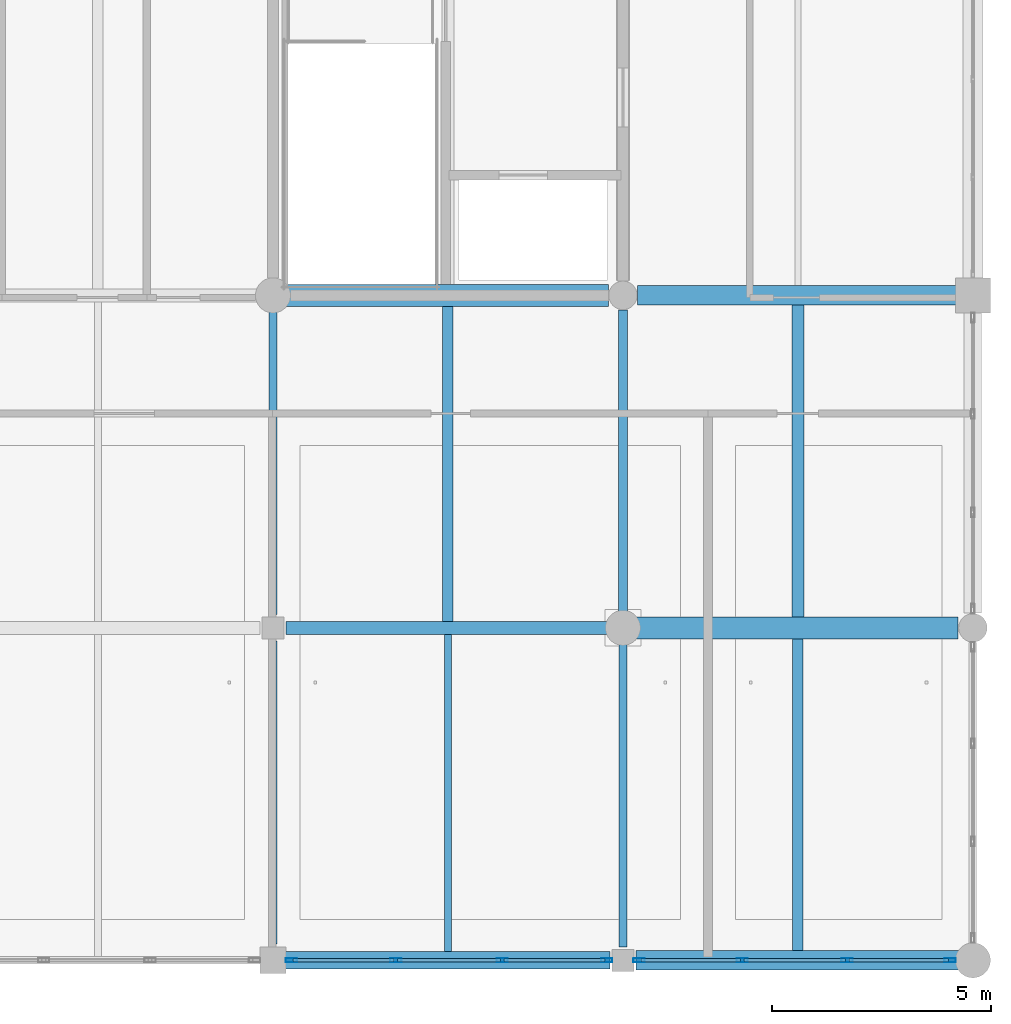
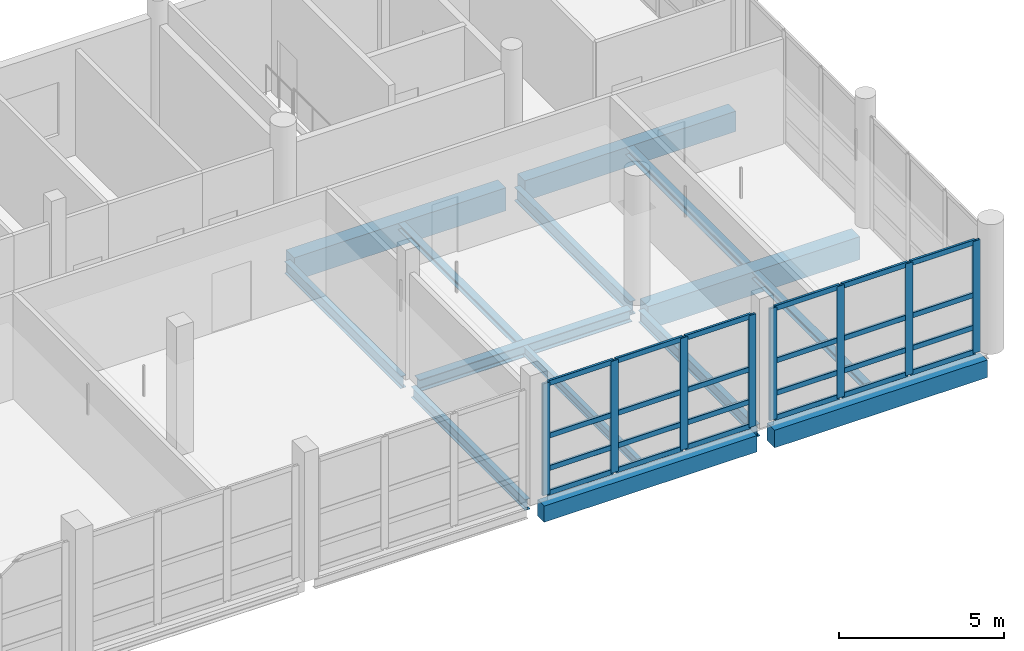
# One storey, part 5 of 18: 32 members, 14 beams, 2 elements without a shape of their own.
"""IFC4 building model written with IfcOpenShell, lengths in metres."""

from ifc_helpers import new_model, si_unit, direction, frame, origin, origin_2d, place, context, subcontext, project, spatial, rectangle, hollow_rectangle, i_section, extrude, material, material_profile, profile_set, type_object, element, aggregate, save


model = new_model("IFC4")

# Units and contexts
model_context = context("Model", 3, precision=1e-05, world=origin(), true_north=direction((0.0, 1.0)))
body_context = subcontext(model_context, "Body", "Model", "MODEL_VIEW")
ifc_project = project(units=[si_unit("LENGTHUNIT", "METRE"), si_unit("AREAUNIT", "SQUARE_METRE"), si_unit("VOLUMEUNIT", "CUBIC_METRE"), si_unit("PLANEANGLEUNIT", "RADIAN"), si_unit("MASSUNIT", "GRAM", prefix="KILO")], contexts=[model_context])

# Site, building, storey
site_placement = place(None, origin())
site = spatial("IfcSite", under=ifc_project, at=site_placement, CompositionType="ELEMENT")
building_placement = place(site_placement, origin())
building = spatial("IfcBuilding", under=site, at=building_placement, Name="Khelvaren Railside Concert Hall", CompositionType="ELEMENT")
storey_placement = place(building_placement, frame((0.0, 0.0, 24.60009765625)))
storey = spatial("IfcBuildingStorey", under=building, at=storey_placement, Name="L05", CompositionType="ELEMENT", Elevation=24.60009765625)

# Beams
ifc_material_1 = material(Name="Steel S355", Category="steel")
ifc_material_profile_1 = material_profile(ifc_material_1, i_section(OverallWidth=0.179931640625, OverallDepth=0.39990234375, WebThickness=0.008544921875, FlangeThickness=0.013427734375, FilletRadius=0.02099609375, at=origin_2d()), Name="IPE 400")
ifc_profile_set_1 = profile_set([ifc_material_profile_1], Name="Steel S355")
beam_type_1 = type_object("IfcBeamType", Name="BM29", PredefinedType="BEAM", material=ifc_profile_set_1)
beam_1_placement = place(storey_placement, frame((168.0, 91.574951171875, -0.460205078125), z_axis=(0.0, 1.0, 0.0), x_axis=(-1.0, 0.0, 0.0)))
element("IfcBeam", 1, at=beam_1_placement, inside=storey, type_object=beam_type_1, Name="V5 L05 Beam Y6.2", PredefinedType="BEAM", context=body_context, shape_type="SweptSolid", body=[
    extrude(i_section(OverallWidth=0.179931640625, OverallDepth=0.39990234375, WebThickness=0.008544921875, FlangeThickness=0.013427734375, FilletRadius=0.02099609375, at=origin_2d()), origin(), (0.0, 0.0, 1.0), 6.925048828125),
])
ifc_material_profile_2 = material_profile(ifc_material_1, i_section(OverallWidth=0.199951171875, OverallDepth=0.5, WebThickness=0.01025390625, FlangeThickness=0.01611328125, FilletRadius=0.02099609375, at=origin_2d()), Name="IPE 500")
ifc_profile_set_2 = profile_set([ifc_material_profile_2], Name="Steel S355")
beam_type_2 = type_object("IfcBeamType", Name="BM62", PredefinedType="BEAM", material=ifc_profile_set_2)
beam_2_placement = place(storey_placement, frame((176.0, 99.050048828125, -0.510009765625), z_axis=(0.0, 1.0, 0.0), x_axis=(-1.0, 0.0, 0.0)))
element("IfcBeam", 2, at=beam_2_placement, inside=storey, type_object=beam_type_2, Name="V5 L05 Beam Y7.3", PredefinedType="BEAM", context=body_context, shape_type="SweptSolid", body=[
    extrude(i_section(OverallWidth=0.199951171875, OverallDepth=0.5, WebThickness=0.01025390625, FlangeThickness=0.01611328125, FilletRadius=0.02099609375, at=origin_2d()), origin(), (0.0, 0.0, 1.0), 7.013916015625),
])
ifc_material_2 = material(Name="Concrete C40/50", Category="concrete")
ifc_material_profile_3 = material_profile(ifc_material_2, rectangle(XDim=0.449951171875, YDim=0.75, at=origin_2d()), Name="RCB 450x750")
ifc_profile_set_3 = profile_set([ifc_material_profile_3], Name="Concrete C40/50")
beam_type_3 = type_object("IfcBeamType", Name="BM83", PredefinedType="BEAM", material=ifc_profile_set_3)
beam_3_placement = place(storey_placement, frame((176.3359375, 106.39990234375, -0.635009765625), z_axis=(1.0, 0.0, 0.0), x_axis=(0.0, 1.0, 0.0)))
element("IfcBeam", 3, at=beam_3_placement, inside=storey, type_object=beam_type_3, Name="V5 L05 Beam X4.7", PredefinedType="BEAM", context=body_context, shape_type="SweptSolid", body=[
    extrude(rectangle(XDim=0.449951171875, YDim=0.75, at=origin_2d()), origin(), (0.0, 0.0, 1.0), 7.39111328125),
])
ifc_material_profile_4 = material_profile(ifc_material_1, i_section(OverallWidth=0.300048828125, OverallDepth=0.43994140625, WebThickness=0.011474609375, FlangeThickness=0.02099609375, FilletRadius=0.027099609375, at=origin_2d()), Name="HEA 450")
ifc_profile_set_4 = profile_set([ifc_material_profile_4], Name="Steel S355")
beam_type_4 = type_object("IfcBeamType", Name="BM89", PredefinedType="BEAM", material=ifc_profile_set_4)
beam_4_placement = place(storey_placement, frame((168.300048828125, 98.800048828125, -0.47998046875), z_axis=(1.0, 0.0, 0.0), x_axis=(0.0, 1.0, 0.0)))
element("IfcBeam", 4, at=beam_4_placement, inside=storey, type_object=beam_type_4, Name="V5 L05 Beam X3.6", PredefinedType="BEAM", context=body_context, shape_type="SweptSolid", body=[
    extrude(i_section(OverallWidth=0.300048828125, OverallDepth=0.43994140625, WebThickness=0.011474609375, FlangeThickness=0.02099609375, FilletRadius=0.027099609375, at=origin_2d()), origin(), (0.0, 0.0, 1.0), 7.449951171875),
])
ifc_material_profile_5 = material_profile(ifc_material_1, i_section(OverallWidth=0.18994140625, OverallDepth=0.449951171875, WebThickness=0.009521484375, FlangeThickness=0.0146484375, FilletRadius=0.02099609375, at=origin_2d()), Name="IPE 450")
ifc_profile_set_5 = profile_set([ifc_material_profile_5], Name="Steel S355")
beam_type_5 = type_object("IfcBeamType", Name="BM95", PredefinedType="BEAM", material=ifc_profile_set_5)
beam_5_placement = place(storey_placement, frame((168.0, 99.10009765625, -0.485107421875), z_axis=(0.0, 1.0, 0.0), x_axis=(-1.0, 0.0, 0.0)))
element("IfcBeam", 5, at=beam_5_placement, inside=storey, type_object=beam_type_5, Name="V5 L05 Beam Y6.3", PredefinedType="BEAM", context=body_context, shape_type="SweptSolid", body=[
    extrude(i_section(OverallWidth=0.18994140625, OverallDepth=0.449951171875, WebThickness=0.009521484375, FlangeThickness=0.0146484375, FilletRadius=0.02099609375, at=origin_2d()), origin(), (0.0, 0.0, 1.0), 7.0498046875),
])
beam_6_placement = place(storey_placement, frame((176.0, 91.5, -0.485107421875), z_axis=(0.0, 1.0, 0.0), x_axis=(-1.0, 0.0, 0.0)))
element("IfcBeam", 6, at=beam_6_placement, inside=storey, type_object=beam_type_5, Name="V5 L05 Beam Y7.2", PredefinedType="BEAM", context=body_context, shape_type="SweptSolid", body=[
    extrude(i_section(OverallWidth=0.18994140625, OverallDepth=0.449951171875, WebThickness=0.009521484375, FlangeThickness=0.0146484375, FilletRadius=0.02099609375, at=origin_2d()), origin(), (0.0, 0.0, 1.0), 7.050048828125),
])

# Curtain wall, members
ifc_material_3 = material(Name="Acoustic laminated crystal facade glass", Category="glass")
curtain_wall_type_1 = type_object("IfcCurtainWallType", Name="CW15", PredefinedType="USERDEFINED", material=ifc_material_3)
curtain_wall_1_placement = place(storey_placement, origin())
curtain_wall_1 = element("IfcCurtainWall", 7, at=curtain_wall_1_placement, inside=storey, type_object=curtain_wall_type_1, Name="Unitised Curtain Wall CW-V5-L05-S-168", ObjectType="UNITISED CURTAIN WALL", PredefinedType="USERDEFINED")
ifc_material_4 = material(Name="Anodised architectural aluminium 6063-T6", Category="aluminium")
ifc_material_profile_6 = material_profile(ifc_material_4, hollow_rectangle(XDim=0.0849609375, YDim=0.260009765625, WallThickness=0.0048828125, InnerFilletRadius=0.0029296875, OuterFilletRadius=0.0048828125, at=origin_2d()), Name="CWM 85x260x5")
ifc_profile_set_6 = profile_set([ifc_material_profile_6], Name="Anodised architectural aluminium 6063-T6")
member_type_1 = type_object("IfcMemberType", Name="CWM40", PredefinedType="MULLION", material=ifc_profile_set_6)
member_1_placement = place(storey_placement, frame((175.6298828125, 91.199951171875, 0.0), z_axis=(0.0, 0.0, 1.0), x_axis=(0.0, -1.0, 0.0)))
member_1 = element("IfcMember", 8, at=member_1_placement, type_object=member_type_1, Name="CW15 mullion 1", PredefinedType="MULLION", context=body_context, shape_type="SweptSolid", body=[
    extrude(hollow_rectangle(XDim=0.0849609375, YDim=0.260009765625, WallThickness=0.0048828125, InnerFilletRadius=0.0029296875, OuterFilletRadius=0.0048828125, at=origin_2d()), origin(), (0.0, 0.0, 1.0), 4.139892578125),
])
member_2_placement = place(storey_placement, frame((173.24072265625, 91.199951171875, 0.0), z_axis=(0.0, 0.0, 1.0), x_axis=(0.0, -1.0, 0.0)))
member_2 = element("IfcMember", 9, at=member_2_placement, type_object=member_type_1, Name="CW15 mullion 2", PredefinedType="MULLION", context=body_context, shape_type="SweptSolid", body=[
    extrude(hollow_rectangle(XDim=0.0849609375, YDim=0.260009765625, WallThickness=0.0048828125, InnerFilletRadius=0.0029296875, OuterFilletRadius=0.0048828125, at=origin_2d()), origin(), (0.0, 0.0, 1.0), 4.139892578125),
])
member_3_placement = place(storey_placement, frame((170.80908203125, 91.199951171875, 0.0), z_axis=(0.0, 0.0, 1.0), x_axis=(0.0, -1.0, 0.0)))
member_3 = element("IfcMember", 10, at=member_3_placement, type_object=member_type_1, Name="CW15 mullion 3", PredefinedType="MULLION", context=body_context, shape_type="SweptSolid", body=[
    extrude(hollow_rectangle(XDim=0.0849609375, YDim=0.260009765625, WallThickness=0.0048828125, InnerFilletRadius=0.0029296875, OuterFilletRadius=0.0048828125, at=origin_2d()), origin(), (0.0, 0.0, 1.0), 4.139892578125),
])
member_4_placement = place(storey_placement, frame((168.419921875, 91.199951171875, 0.0), z_axis=(0.0, 0.0, 1.0), x_axis=(0.0, -1.0, 0.0)))
member_4 = element("IfcMember", 11, at=member_4_placement, type_object=member_type_1, Name="CW15 mullion 4", PredefinedType="MULLION", context=body_context, shape_type="SweptSolid", body=[
    extrude(hollow_rectangle(XDim=0.0849609375, YDim=0.260009765625, WallThickness=0.0048828125, InnerFilletRadius=0.0029296875, OuterFilletRadius=0.0048828125, at=origin_2d()), origin(), (0.0, 0.0, 1.0), 4.139892578125),
])

curtain_wall_type_2 = type_object("IfcCurtainWallType", Name="CW54", PredefinedType="USERDEFINED", material=ifc_material_3)
curtain_wall_2_placement = place(storey_placement, origin())
curtain_wall_2 = element("IfcCurtainWall", 12, at=curtain_wall_2_placement, inside=storey, type_object=curtain_wall_type_2, Name="Unitised Curtain Wall CW-V5-L05-S-176", ObjectType="UNITISED CURTAIN WALL", PredefinedType="USERDEFINED")
member_5_placement = place(storey_placement, frame((183.47998046875, 91.199951171875, 0.0), z_axis=(0.0, 0.0, 1.0), x_axis=(0.0, -1.0, 0.0)))
member_5 = element("IfcMember", 13, at=member_5_placement, type_object=member_type_1, Name="CW54 mullion 1", PredefinedType="MULLION", context=body_context, shape_type="SweptSolid", body=[
    extrude(hollow_rectangle(XDim=0.0849609375, YDim=0.260009765625, WallThickness=0.0048828125, InnerFilletRadius=0.0029296875, OuterFilletRadius=0.0048828125, at=origin_2d()), origin(), (0.0, 0.0, 1.0), 4.139892578125),
])
member_6_placement = place(storey_placement, frame((181.124267578125, 91.199951171875, 0.0), z_axis=(0.0, 0.0, 1.0), x_axis=(0.0, -1.0, 0.0)))
member_6 = element("IfcMember", 14, at=member_6_placement, type_object=member_type_1, Name="CW54 mullion 2", PredefinedType="MULLION", context=body_context, shape_type="SweptSolid", body=[
    extrude(hollow_rectangle(XDim=0.0849609375, YDim=0.260009765625, WallThickness=0.0048828125, InnerFilletRadius=0.0029296875, OuterFilletRadius=0.0048828125, at=origin_2d()), origin(), (0.0, 0.0, 1.0), 4.139892578125),
])
member_7_placement = place(storey_placement, frame((178.725830078125, 91.199951171875, 0.0), z_axis=(0.0, 0.0, 1.0), x_axis=(0.0, -1.0, 0.0)))
member_7 = element("IfcMember", 15, at=member_7_placement, type_object=member_type_1, Name="CW54 mullion 3", PredefinedType="MULLION", context=body_context, shape_type="SweptSolid", body=[
    extrude(hollow_rectangle(XDim=0.0849609375, YDim=0.260009765625, WallThickness=0.0048828125, InnerFilletRadius=0.0029296875, OuterFilletRadius=0.0048828125, at=origin_2d()), origin(), (0.0, 0.0, 1.0), 4.139892578125),
])
member_8_placement = place(storey_placement, frame((176.3701171875, 91.199951171875, 0.0), z_axis=(0.0, 0.0, 1.0), x_axis=(0.0, -1.0, 0.0)))
member_8 = element("IfcMember", 16, at=member_8_placement, type_object=member_type_1, Name="CW54 mullion 4", PredefinedType="MULLION", context=body_context, shape_type="SweptSolid", body=[
    extrude(hollow_rectangle(XDim=0.0849609375, YDim=0.260009765625, WallThickness=0.0048828125, InnerFilletRadius=0.0029296875, OuterFilletRadius=0.0048828125, at=origin_2d()), origin(), (0.0, 0.0, 1.0), 4.139892578125),
])

# Member
ifc_material_profile_7 = material_profile(ifc_material_4, hollow_rectangle(XDim=0.0849609375, YDim=0.18994140625, WallThickness=0.0048828125, InnerFilletRadius=0.0029296875, OuterFilletRadius=0.0048828125, at=origin_2d()), Name="CWT 85x190x5")
ifc_profile_set_7 = profile_set([ifc_material_profile_7], Name="Anodised architectural aluminium 6063-T6")
member_type_2 = type_object("IfcMemberType", Name="CWT31", PredefinedType="USERDEFINED", material=ifc_profile_set_7)
member_9_placement = place(storey_placement, frame((175.58740234375, 91.199951171875, 0.04248046875), z_axis=(-1.0, 0.0, 0.0), x_axis=(0.0, -1.0, 0.0)))
member_9 = element("IfcMember", 17, at=member_9_placement, type_object=member_type_2, Name="CW15 transom 1.1", ObjectType="TRANSOM", PredefinedType="USERDEFINED", context=body_context, shape_type="SweptSolid", body=[
    extrude(hollow_rectangle(XDim=0.0849609375, YDim=0.18994140625, WallThickness=0.0048828125, InnerFilletRadius=0.0029296875, OuterFilletRadius=0.0048828125, at=origin_2d()), origin(), (0.0, 0.0, 1.0), 2.303955078125),
])

member_10_placement = place(storey_placement, frame((175.58740234375, 91.199951171875, 0.949951171875), z_axis=(-1.0, 0.0, 0.0), x_axis=(0.0, -1.0, 0.0)))
member_10 = element("IfcMember", 18, at=member_10_placement, type_object=member_type_2, Name="CW15 transom 1.2", ObjectType="TRANSOM", PredefinedType="USERDEFINED", context=body_context, shape_type="SweptSolid", body=[
    extrude(hollow_rectangle(XDim=0.0849609375, YDim=0.18994140625, WallThickness=0.0048828125, InnerFilletRadius=0.0029296875, OuterFilletRadius=0.0048828125, at=origin_2d()), origin(), (0.0, 0.0, 1.0), 2.303955078125),
])

member_11_placement = place(storey_placement, frame((175.58740234375, 91.199951171875, 2.152587890625), z_axis=(-1.0, 0.0, 0.0), x_axis=(0.0, -1.0, 0.0)))
member_11 = element("IfcMember", 19, at=member_11_placement, type_object=member_type_2, Name="CW15 transom 1.3", ObjectType="TRANSOM", PredefinedType="USERDEFINED", context=body_context, shape_type="SweptSolid", body=[
    extrude(hollow_rectangle(XDim=0.0849609375, YDim=0.18994140625, WallThickness=0.0048828125, InnerFilletRadius=0.0029296875, OuterFilletRadius=0.0048828125, at=origin_2d()), origin(), (0.0, 0.0, 1.0), 2.303955078125),
])

member_12_placement = place(storey_placement, frame((175.58740234375, 91.199951171875, 4.097412109375), z_axis=(-1.0, 0.0, 0.0), x_axis=(0.0, -1.0, 0.0)))
member_12 = element("IfcMember", 20, at=member_12_placement, type_object=member_type_2, Name="CW15 transom 1.4", ObjectType="TRANSOM", PredefinedType="USERDEFINED", context=body_context, shape_type="SweptSolid", body=[
    extrude(hollow_rectangle(XDim=0.0849609375, YDim=0.18994140625, WallThickness=0.0048828125, InnerFilletRadius=0.0029296875, OuterFilletRadius=0.0048828125, at=origin_2d()), origin(), (0.0, 0.0, 1.0), 2.303955078125),
])

member_13_placement = place(storey_placement, frame((173.1982421875, 91.199951171875, 0.04248046875), z_axis=(-1.0, 0.0, 0.0), x_axis=(0.0, -1.0, 0.0)))
member_13 = element("IfcMember", 21, at=member_13_placement, type_object=member_type_2, Name="CW15 transom 2.1", ObjectType="TRANSOM", PredefinedType="USERDEFINED", context=body_context, shape_type="SweptSolid", body=[
    extrude(hollow_rectangle(XDim=0.0849609375, YDim=0.18994140625, WallThickness=0.0048828125, InnerFilletRadius=0.0029296875, OuterFilletRadius=0.0048828125, at=origin_2d()), origin(), (0.0, 0.0, 1.0), 2.3466796875),
])

member_14_placement = place(storey_placement, frame((173.1982421875, 91.199951171875, 0.949951171875), z_axis=(-1.0, 0.0, 0.0), x_axis=(0.0, -1.0, 0.0)))
member_14 = element("IfcMember", 22, at=member_14_placement, type_object=member_type_2, Name="CW15 transom 2.2", ObjectType="TRANSOM", PredefinedType="USERDEFINED", context=body_context, shape_type="SweptSolid", body=[
    extrude(hollow_rectangle(XDim=0.0849609375, YDim=0.18994140625, WallThickness=0.0048828125, InnerFilletRadius=0.0029296875, OuterFilletRadius=0.0048828125, at=origin_2d()), origin(), (0.0, 0.0, 1.0), 2.3466796875),
])

member_15_placement = place(storey_placement, frame((173.1982421875, 91.199951171875, 2.152587890625), z_axis=(-1.0, 0.0, 0.0), x_axis=(0.0, -1.0, 0.0)))
member_15 = element("IfcMember", 23, at=member_15_placement, type_object=member_type_2, Name="CW15 transom 2.3", ObjectType="TRANSOM", PredefinedType="USERDEFINED", context=body_context, shape_type="SweptSolid", body=[
    extrude(hollow_rectangle(XDim=0.0849609375, YDim=0.18994140625, WallThickness=0.0048828125, InnerFilletRadius=0.0029296875, OuterFilletRadius=0.0048828125, at=origin_2d()), origin(), (0.0, 0.0, 1.0), 2.3466796875),
])

member_16_placement = place(storey_placement, frame((173.1982421875, 91.199951171875, 4.097412109375), z_axis=(-1.0, 0.0, 0.0), x_axis=(0.0, -1.0, 0.0)))
member_16 = element("IfcMember", 24, at=member_16_placement, type_object=member_type_2, Name="CW15 transom 2.4", ObjectType="TRANSOM", PredefinedType="USERDEFINED", context=body_context, shape_type="SweptSolid", body=[
    extrude(hollow_rectangle(XDim=0.0849609375, YDim=0.18994140625, WallThickness=0.0048828125, InnerFilletRadius=0.0029296875, OuterFilletRadius=0.0048828125, at=origin_2d()), origin(), (0.0, 0.0, 1.0), 2.3466796875),
])

member_17_placement = place(storey_placement, frame((170.7666015625, 91.199951171875, 0.04248046875), z_axis=(-1.0, 0.0, 0.0), x_axis=(0.0, -1.0, 0.0)))
member_17 = element("IfcMember", 25, at=member_17_placement, type_object=member_type_2, Name="CW15 transom 3.1", ObjectType="TRANSOM", PredefinedType="USERDEFINED", context=body_context, shape_type="SweptSolid", body=[
    extrude(hollow_rectangle(XDim=0.0849609375, YDim=0.18994140625, WallThickness=0.0048828125, InnerFilletRadius=0.0029296875, OuterFilletRadius=0.0048828125, at=origin_2d()), origin(), (0.0, 0.0, 1.0), 2.30419921875),
])

member_18_placement = place(storey_placement, frame((170.7666015625, 91.199951171875, 0.949951171875), z_axis=(-1.0, 0.0, 0.0), x_axis=(0.0, -1.0, 0.0)))
member_18 = element("IfcMember", 26, at=member_18_placement, type_object=member_type_2, Name="CW15 transom 3.2", ObjectType="TRANSOM", PredefinedType="USERDEFINED", context=body_context, shape_type="SweptSolid", body=[
    extrude(hollow_rectangle(XDim=0.0849609375, YDim=0.18994140625, WallThickness=0.0048828125, InnerFilletRadius=0.0029296875, OuterFilletRadius=0.0048828125, at=origin_2d()), origin(), (0.0, 0.0, 1.0), 2.30419921875),
])

member_19_placement = place(storey_placement, frame((170.7666015625, 91.199951171875, 2.152587890625), z_axis=(-1.0, 0.0, 0.0), x_axis=(0.0, -1.0, 0.0)))
member_19 = element("IfcMember", 27, at=member_19_placement, type_object=member_type_2, Name="CW15 transom 3.3", ObjectType="TRANSOM", PredefinedType="USERDEFINED", context=body_context, shape_type="SweptSolid", body=[
    extrude(hollow_rectangle(XDim=0.0849609375, YDim=0.18994140625, WallThickness=0.0048828125, InnerFilletRadius=0.0029296875, OuterFilletRadius=0.0048828125, at=origin_2d()), origin(), (0.0, 0.0, 1.0), 2.30419921875),
])

member_20_placement = place(storey_placement, frame((170.7666015625, 91.199951171875, 4.097412109375), z_axis=(-1.0, 0.0, 0.0), x_axis=(0.0, -1.0, 0.0)))
member_20 = element("IfcMember", 28, at=member_20_placement, type_object=member_type_2, Name="CW15 transom 3.4", ObjectType="TRANSOM", PredefinedType="USERDEFINED", context=body_context, shape_type="SweptSolid", body=[
    extrude(hollow_rectangle(XDim=0.0849609375, YDim=0.18994140625, WallThickness=0.0048828125, InnerFilletRadius=0.0029296875, OuterFilletRadius=0.0048828125, at=origin_2d()), origin(), (0.0, 0.0, 1.0), 2.30419921875),
])

aggregate(curtain_wall_1, [member_1, member_2, member_3, member_4, member_9, member_10, member_11, member_12, member_13, member_14, member_15, member_16, member_17, member_18, member_19, member_20])

member_21_placement = place(storey_placement, frame((183.4375, 91.199951171875, 0.04248046875), z_axis=(-1.0, 0.0, 0.0), x_axis=(0.0, -1.0, 0.0)))
member_21 = element("IfcMember", 29, at=member_21_placement, type_object=member_type_2, Name="CW54 transom 1.1", ObjectType="TRANSOM", PredefinedType="USERDEFINED", context=body_context, shape_type="SweptSolid", body=[
    extrude(hollow_rectangle(XDim=0.0849609375, YDim=0.18994140625, WallThickness=0.0048828125, InnerFilletRadius=0.0029296875, OuterFilletRadius=0.0048828125, at=origin_2d()), origin(), (0.0, 0.0, 1.0), 2.270751953125),
])

member_22_placement = place(storey_placement, frame((183.4375, 91.199951171875, 0.949951171875), z_axis=(-1.0, 0.0, 0.0), x_axis=(0.0, -1.0, 0.0)))
member_22 = element("IfcMember", 30, at=member_22_placement, type_object=member_type_2, Name="CW54 transom 1.2", ObjectType="TRANSOM", PredefinedType="USERDEFINED", context=body_context, shape_type="SweptSolid", body=[
    extrude(hollow_rectangle(XDim=0.0849609375, YDim=0.18994140625, WallThickness=0.0048828125, InnerFilletRadius=0.0029296875, OuterFilletRadius=0.0048828125, at=origin_2d()), origin(), (0.0, 0.0, 1.0), 2.270751953125),
])

member_23_placement = place(storey_placement, frame((183.4375, 91.199951171875, 2.152587890625), z_axis=(-1.0, 0.0, 0.0), x_axis=(0.0, -1.0, 0.0)))
member_23 = element("IfcMember", 31, at=member_23_placement, type_object=member_type_2, Name="CW54 transom 1.3", ObjectType="TRANSOM", PredefinedType="USERDEFINED", context=body_context, shape_type="SweptSolid", body=[
    extrude(hollow_rectangle(XDim=0.0849609375, YDim=0.18994140625, WallThickness=0.0048828125, InnerFilletRadius=0.0029296875, OuterFilletRadius=0.0048828125, at=origin_2d()), origin(), (0.0, 0.0, 1.0), 2.270751953125),
])

member_24_placement = place(storey_placement, frame((183.4375, 91.199951171875, 4.097412109375), z_axis=(-1.0, 0.0, 0.0), x_axis=(0.0, -1.0, 0.0)))
member_24 = element("IfcMember", 32, at=member_24_placement, type_object=member_type_2, Name="CW54 transom 1.4", ObjectType="TRANSOM", PredefinedType="USERDEFINED", context=body_context, shape_type="SweptSolid", body=[
    extrude(hollow_rectangle(XDim=0.0849609375, YDim=0.18994140625, WallThickness=0.0048828125, InnerFilletRadius=0.0029296875, OuterFilletRadius=0.0048828125, at=origin_2d()), origin(), (0.0, 0.0, 1.0), 2.270751953125),
])

member_25_placement = place(storey_placement, frame((181.081787109375, 91.199951171875, 0.04248046875), z_axis=(-1.0, 0.0, 0.0), x_axis=(0.0, -1.0, 0.0)))
member_25 = element("IfcMember", 33, at=member_25_placement, type_object=member_type_2, Name="CW54 transom 2.1", ObjectType="TRANSOM", PredefinedType="USERDEFINED", context=body_context, shape_type="SweptSolid", body=[
    extrude(hollow_rectangle(XDim=0.0849609375, YDim=0.18994140625, WallThickness=0.0048828125, InnerFilletRadius=0.0029296875, OuterFilletRadius=0.0048828125, at=origin_2d()), origin(), (0.0, 0.0, 1.0), 2.3134765625),
])

member_26_placement = place(storey_placement, frame((181.081787109375, 91.199951171875, 0.949951171875), z_axis=(-1.0, 0.0, 0.0), x_axis=(0.0, -1.0, 0.0)))
member_26 = element("IfcMember", 34, at=member_26_placement, type_object=member_type_2, Name="CW54 transom 2.2", ObjectType="TRANSOM", PredefinedType="USERDEFINED", context=body_context, shape_type="SweptSolid", body=[
    extrude(hollow_rectangle(XDim=0.0849609375, YDim=0.18994140625, WallThickness=0.0048828125, InnerFilletRadius=0.0029296875, OuterFilletRadius=0.0048828125, at=origin_2d()), origin(), (0.0, 0.0, 1.0), 2.3134765625),
])

member_27_placement = place(storey_placement, frame((181.081787109375, 91.199951171875, 2.152587890625), z_axis=(-1.0, 0.0, 0.0), x_axis=(0.0, -1.0, 0.0)))
member_27 = element("IfcMember", 35, at=member_27_placement, type_object=member_type_2, Name="CW54 transom 2.3", ObjectType="TRANSOM", PredefinedType="USERDEFINED", context=body_context, shape_type="SweptSolid", body=[
    extrude(hollow_rectangle(XDim=0.0849609375, YDim=0.18994140625, WallThickness=0.0048828125, InnerFilletRadius=0.0029296875, OuterFilletRadius=0.0048828125, at=origin_2d()), origin(), (0.0, 0.0, 1.0), 2.3134765625),
])

member_28_placement = place(storey_placement, frame((181.081787109375, 91.199951171875, 4.097412109375), z_axis=(-1.0, 0.0, 0.0), x_axis=(0.0, -1.0, 0.0)))
member_28 = element("IfcMember", 36, at=member_28_placement, type_object=member_type_2, Name="CW54 transom 2.4", ObjectType="TRANSOM", PredefinedType="USERDEFINED", context=body_context, shape_type="SweptSolid", body=[
    extrude(hollow_rectangle(XDim=0.0849609375, YDim=0.18994140625, WallThickness=0.0048828125, InnerFilletRadius=0.0029296875, OuterFilletRadius=0.0048828125, at=origin_2d()), origin(), (0.0, 0.0, 1.0), 2.3134765625),
])

member_29_placement = place(storey_placement, frame((178.683349609375, 91.199951171875, 0.04248046875), z_axis=(-1.0, 0.0, 0.0), x_axis=(0.0, -1.0, 0.0)))
member_29 = element("IfcMember", 37, at=member_29_placement, type_object=member_type_2, Name="CW54 transom 3.1", ObjectType="TRANSOM", PredefinedType="USERDEFINED", context=body_context, shape_type="SweptSolid", body=[
    extrude(hollow_rectangle(XDim=0.0849609375, YDim=0.18994140625, WallThickness=0.0048828125, InnerFilletRadius=0.0029296875, OuterFilletRadius=0.0048828125, at=origin_2d()), origin(), (0.0, 0.0, 1.0), 2.270751953125),
])

member_30_placement = place(storey_placement, frame((178.683349609375, 91.199951171875, 0.949951171875), z_axis=(-1.0, 0.0, 0.0), x_axis=(0.0, -1.0, 0.0)))
member_30 = element("IfcMember", 38, at=member_30_placement, type_object=member_type_2, Name="CW54 transom 3.2", ObjectType="TRANSOM", PredefinedType="USERDEFINED", context=body_context, shape_type="SweptSolid", body=[
    extrude(hollow_rectangle(XDim=0.0849609375, YDim=0.18994140625, WallThickness=0.0048828125, InnerFilletRadius=0.0029296875, OuterFilletRadius=0.0048828125, at=origin_2d()), origin(), (0.0, 0.0, 1.0), 2.270751953125),
])

member_31_placement = place(storey_placement, frame((178.683349609375, 91.199951171875, 2.152587890625), z_axis=(-1.0, 0.0, 0.0), x_axis=(0.0, -1.0, 0.0)))
member_31 = element("IfcMember", 39, at=member_31_placement, type_object=member_type_2, Name="CW54 transom 3.3", ObjectType="TRANSOM", PredefinedType="USERDEFINED", context=body_context, shape_type="SweptSolid", body=[
    extrude(hollow_rectangle(XDim=0.0849609375, YDim=0.18994140625, WallThickness=0.0048828125, InnerFilletRadius=0.0029296875, OuterFilletRadius=0.0048828125, at=origin_2d()), origin(), (0.0, 0.0, 1.0), 2.270751953125),
])

member_32_placement = place(storey_placement, frame((178.683349609375, 91.199951171875, 4.097412109375), z_axis=(-1.0, 0.0, 0.0), x_axis=(0.0, -1.0, 0.0)))
member_32 = element("IfcMember", 40, at=member_32_placement, type_object=member_type_2, Name="CW54 transom 3.4", ObjectType="TRANSOM", PredefinedType="USERDEFINED", context=body_context, shape_type="SweptSolid", body=[
    extrude(hollow_rectangle(XDim=0.0849609375, YDim=0.18994140625, WallThickness=0.0048828125, InnerFilletRadius=0.0029296875, OuterFilletRadius=0.0048828125, at=origin_2d()), origin(), (0.0, 0.0, 1.0), 2.270751953125),
])

aggregate(curtain_wall_2, [member_5, member_6, member_7, member_8, member_21, member_22, member_23, member_24, member_25, member_26, member_27, member_28, member_29, member_30, member_31, member_32])

# Beams
ifc_material_profile_8 = material_profile(ifc_material_2, rectangle(XDim=0.5, YDim=0.85009765625, at=origin_2d()), Name="RCB 500x850")
ifc_profile_set_8 = profile_set([ifc_material_profile_8], Name="Concrete C40/50")
beam_type_6 = type_object("IfcBeamType", Name="GR96", PredefinedType="T_BEAM", material=ifc_profile_set_8)
for number, where, z_axis, x_axis, name in (
    (41, (176.25, 98.800048828125, -0.68505859375), (1.0, 0.0, 0.0), (0.0, 1.0, 0.0), "V5 L05 T_Beam X3.7"),
    (42, (168.25, 106.39990234375, -0.68505859375), (1.0, 0.0, 0.0), (0.0, 1.0, 0.0), "V5 L05 T_Beam X4.6"),
):
    element("IfcBeam", number, at=place(storey_placement, frame(where, z_axis=z_axis, x_axis=x_axis)), inside=storey, type_object=beam_type_6, Name=name, PredefinedType="T_BEAM", context=body_context, shape_type="SweptSolid", body=[
        extrude(rectangle(XDim=0.5, YDim=0.85009765625, at=origin_2d()), origin(), (0.0, 0.0, 1.0), 7.4140625),
    ])
ifc_material_profile_9 = material_profile(ifc_material_1, i_section(OverallWidth=0.280029296875, OverallDepth=0.27001953125, WebThickness=0.008056640625, FlangeThickness=0.012939453125, FilletRadius=0.02392578125, at=origin_2d()), Name="HEA 280")
ifc_profile_set_9 = profile_set([ifc_material_profile_9], Name="Steel S355")
beam_type_7 = type_object("IfcBeamType", Name="JS46", PredefinedType="JOIST", material=ifc_profile_set_9)
beam_7_placement = place(storey_placement, frame((180.0, 99.050048828125, -0.39501953125), z_axis=(0.0, 1.0, 0.0), x_axis=(-1.0, 0.0, 0.0)))
element("IfcBeam", 43, at=beam_7_placement, inside=storey, type_object=beam_type_7, Name="V5 L05 Secondary Joist 7.3", PredefinedType="JOIST", context=body_context, shape_type="SweptSolid", body=[
    extrude(i_section(OverallWidth=0.280029296875, OverallDepth=0.27001953125, WebThickness=0.008056640625, FlangeThickness=0.012939453125, FilletRadius=0.02392578125, at=origin_2d()), origin(), (0.0, 0.0, 1.0), 7.125),
])
ifc_material_profile_10 = material_profile(ifc_material_1, i_section(OverallWidth=0.159912109375, OverallDepth=0.330078125, WebThickness=0.007568359375, FlangeThickness=0.011474609375, FilletRadius=0.01806640625, at=origin_2d()), Name="IPE 330")
ifc_profile_set_10 = profile_set([ifc_material_profile_10], Name="Steel S355")
beam_type_8 = type_object("IfcBeamType", Name="JS65", PredefinedType="JOIST", material=ifc_profile_set_10)
beam_8_placement = place(storey_placement, frame((172.0, 91.39990234375, -0.425048828125), z_axis=(0.0, 1.0, 0.0), x_axis=(-1.0, 0.0, 0.0)))
element("IfcBeam", 44, at=beam_8_placement, inside=storey, type_object=beam_type_8, Name="V5 L05 Secondary Joist 6.2", PredefinedType="JOIST", context=body_context, shape_type="SweptSolid", body=[
    extrude(i_section(OverallWidth=0.159912109375, OverallDepth=0.330078125, WebThickness=0.007568359375, FlangeThickness=0.011474609375, FilletRadius=0.01806640625, at=origin_2d()), origin(), (0.0, 0.0, 1.0), 7.25),
])
ifc_material_profile_11 = material_profile(ifc_material_1, i_section(OverallWidth=0.239990234375, OverallDepth=0.22998046875, WebThickness=0.007568359375, FlangeThickness=0.011962890625, FilletRadius=0.02099609375, at=origin_2d()), Name="HEA 240")
ifc_profile_set_11 = profile_set([ifc_material_profile_11], Name="Steel S355")
beam_type_9 = type_object("IfcBeamType", Name="JS76", PredefinedType="JOIST", material=ifc_profile_set_11)
beam_9_placement = place(storey_placement, frame((172.0, 98.949951171875, -0.375), z_axis=(0.0, 1.0, 0.0), x_axis=(-1.0, 0.0, 0.0)))
element("IfcBeam", 45, at=beam_9_placement, inside=storey, type_object=beam_type_9, Name="V5 L05 Secondary Joist 6.3", PredefinedType="JOIST", context=body_context, shape_type="SweptSolid", body=[
    extrude(i_section(OverallWidth=0.239990234375, OverallDepth=0.22998046875, WebThickness=0.007568359375, FlangeThickness=0.011962890625, FilletRadius=0.02099609375, at=origin_2d()), origin(), (0.0, 0.0, 1.0), 7.199951171875),
])
beam_10_placement = place(storey_placement, frame((180.0, 91.425048828125, -0.375), z_axis=(0.0, 1.0, 0.0), x_axis=(-1.0, 0.0, 0.0)))
element("IfcBeam", 46, at=beam_10_placement, inside=storey, type_object=beam_type_9, Name="V5 L05 Secondary Joist 7.2", PredefinedType="JOIST", context=body_context, shape_type="SweptSolid", body=[
    extrude(i_section(OverallWidth=0.239990234375, OverallDepth=0.22998046875, WebThickness=0.007568359375, FlangeThickness=0.011962890625, FilletRadius=0.02099609375, at=origin_2d()), origin(), (0.0, 0.0, 1.0), 7.125),
])
ifc_material_profile_12 = material_profile(ifc_material_2, rectangle(XDim=0.449951171875, YDim=0.64990234375, at=origin_2d()), Name="RCB 450x650")
ifc_profile_set_12 = profile_set([ifc_material_profile_12], Name="Concrete C40/50")
beam_type_10 = type_object("IfcBeamType", Name="SP34", PredefinedType="SPANDREL", material=ifc_profile_set_12)
beam_11_placement = place(storey_placement, frame((176.300048828125, 91.199951171875, -0.585205078125), z_axis=(1.0, 0.0, 0.0), x_axis=(0.0, 1.0, 0.0)))
element("IfcBeam", 47, at=beam_11_placement, inside=storey, type_object=beam_type_10, Name="V5 L05 Spandrel X2.7", PredefinedType="SPANDREL", context=body_context, shape_type="SweptSolid", body=[
    extrude(rectangle(XDim=0.449951171875, YDim=0.64990234375, at=origin_2d()), origin(), (0.0, 0.0, 1.0), 7.449951171875),
])
ifc_material_profile_13 = material_profile(ifc_material_2, rectangle(XDim=0.39990234375, YDim=0.60009765625, at=origin_2d()), Name="RCB 400x600")
ifc_profile_set_13 = profile_set([ifc_material_profile_13], Name="Concrete C40/50")
beam_type_11 = type_object("IfcBeamType", Name="SP75", PredefinedType="SPANDREL", material=ifc_profile_set_13)
beam_12_placement = place(storey_placement, frame((168.25, 91.199951171875, -0.56005859375), z_axis=(1.0, 0.0, 0.0), x_axis=(0.0, 1.0, 0.0)))
element("IfcBeam", 48, at=beam_12_placement, inside=storey, type_object=beam_type_11, Name="V5 L05 Spandrel X2.6", PredefinedType="SPANDREL", context=body_context, shape_type="SweptSolid", body=[
    extrude(rectangle(XDim=0.39990234375, YDim=0.60009765625, at=origin_2d()), origin(), (0.0, 0.0, 1.0), 7.449951171875),
])

save(model, "model.ifc")
